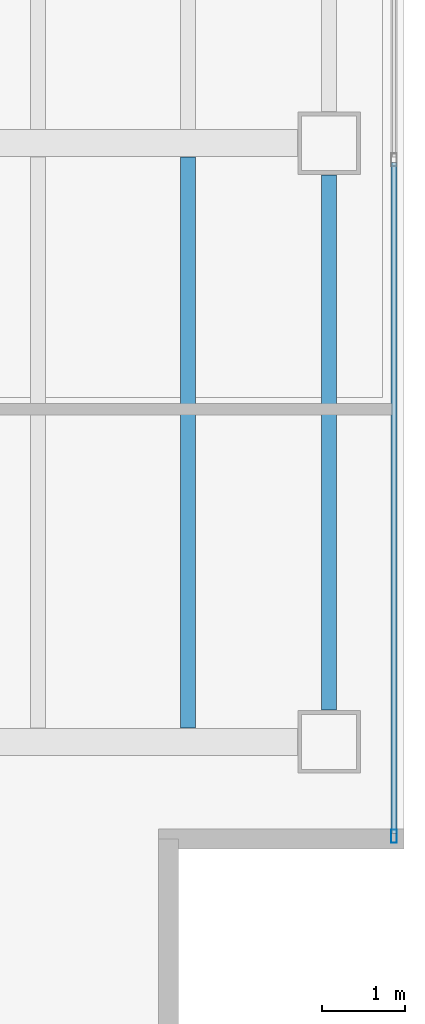
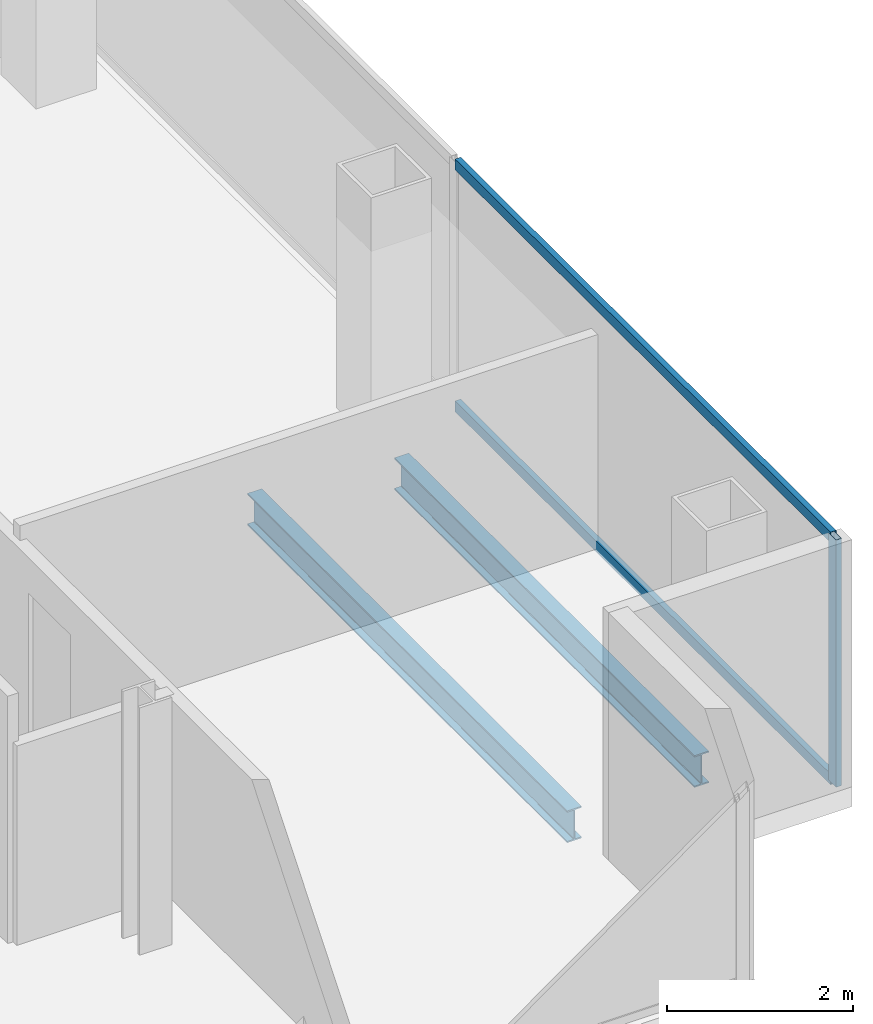
# One storey, part 12 of 23: 3 members, 2 beams, 1 element without a shape of its own.
"""IFC4 building model written with IfcOpenShell, lengths in metres."""

from ifc_helpers import new_model, si_unit, direction, frame, origin, origin_2d, place, context, subcontext, project, spatial, hollow_rectangle, i_section, extrude, material, material_profile, profile_set, type_object, element, aggregate, save


model = new_model("IFC4")

# Units and contexts
model_context = context("Model", 3, precision=1e-05, world=origin(), true_north=direction((0.0, 1.0)))
body_context = subcontext(model_context, "Body", "Model", "MODEL_VIEW")
ifc_project = project(units=[si_unit("LENGTHUNIT", "METRE"), si_unit("AREAUNIT", "SQUARE_METRE"), si_unit("VOLUMEUNIT", "CUBIC_METRE"), si_unit("PLANEANGLEUNIT", "RADIAN"), si_unit("MASSUNIT", "GRAM", prefix="KILO")], contexts=[model_context])

# Site, building, storey
site_placement = place(None, origin())
site = spatial("IfcSite", under=ifc_project, at=site_placement, CompositionType="ELEMENT")
building_placement = place(site_placement, origin())
building = spatial("IfcBuilding", under=site, at=building_placement, Name="Cobrela Telecom Tower", CompositionType="ELEMENT")
storey_placement = place(building_placement, frame((0.0, 0.0, 225.75)))
storey = spatial("IfcBuildingStorey", under=building, at=storey_placement, Name="L58", CompositionType="ELEMENT", Elevation=225.75)

# Beams
ifc_material_1 = material(Name="Steel ASTM A992 Grade 50", Category="steel")
ifc_material_profile_1 = material_profile(ifc_material_1, i_section(OverallWidth=0.179931640625, OverallDepth=0.4169921875, WebThickness=0.010986328125, FlangeThickness=0.01806640625, FilletRadius=0.011962890625, at=origin_2d()), Name="W16X57")
ifc_profile_set_1 = profile_set([ifc_material_profile_1], Name="Steel ASTM A992 Grade 50")
beam_type_1 = type_object("IfcBeamType", Name="BM-JOIST-04", PredefinedType="JOIST", material=ifc_profile_set_1)
beam_1_placement = place(storey_placement, frame((41.39990234375, 7.367431640625, -0.468505859375), z_axis=(0.0, 1.0, 0.0), x_axis=(-1.0, 0.0, 0.0)))
element("IfcBeam", 1, at=beam_1_placement, inside=storey, type_object=beam_type_1, Name="L58 Secondary Composite Floor Beam J29", PredefinedType="JOIST", context=body_context, shape_type="SweptSolid", body=[
    extrude(i_section(OverallWidth=0.179931640625, OverallDepth=0.4169921875, WebThickness=0.010986328125, FlangeThickness=0.01806640625, FilletRadius=0.011962890625, at=origin_2d()), origin(), (0.0, 0.0, 1.0), 6.864990234375),
])
ifc_material_profile_2 = material_profile(ifc_material_1, i_section(OverallWidth=0.179931640625, OverallDepth=0.4169921875, WebThickness=0.010986328125, FlangeThickness=0.01806640625, FilletRadius=0.011962890625, at=origin_2d()), Name="W16X57")
ifc_profile_set_2 = profile_set([ifc_material_profile_2], Name="Steel ASTM A992 Grade 50")
beam_type_2 = type_object("IfcBeamType", Name="BM-SPAND-06", PredefinedType="SPANDREL", material=ifc_profile_set_2)
beam_2_placement = place(storey_placement, frame((43.10009765625, 7.580078125, -0.468505859375), z_axis=(0.0, 1.0, 0.0), x_axis=(-1.0, 0.0, 0.0)))
element("IfcBeam", 2, at=beam_2_placement, inside=storey, type_object=beam_type_2, Name="L58 Perimeter Spandrel Y42", PredefinedType="SPANDREL", context=body_context, shape_type="SweptSolid", body=[
    extrude(i_section(OverallWidth=0.179931640625, OverallDepth=0.4169921875, WebThickness=0.010986328125, FlangeThickness=0.01806640625, FilletRadius=0.011962890625, at=origin_2d()), origin(), (0.0, 0.0, 1.0), 6.43994140625),
])

# Curtain wall, members
ifc_material_2 = material(Name="Anodized Bronze Aluminium 6063-T6", Category="aluminium")
curtain_wall_type = type_object("IfcCurtainWallType", Name="CW-SYS-OFF-LO", PredefinedType="USERDEFINED", material=ifc_material_2)
curtain_wall_placement = place(storey_placement, origin())
curtain_wall = element("IfcCurtainWall", 3, at=curtain_wall_placement, inside=storey, type_object=curtain_wall_type, Name="L58 Unitised Bronze Curtain Wall 14", ObjectType="UNITISED CURTAIN WALL", PredefinedType="USERDEFINED")
ifc_material_profile_3 = material_profile(ifc_material_2, hollow_rectangle(XDim=0.070068359375, YDim=0.159912109375, WallThickness=0.00390625, at=origin_2d()), Name="ALU 70x160x4")
ifc_profile_set_3 = profile_set([ifc_material_profile_3], Name="Anodized Bronze Aluminium 6063-T6")
member_type_1 = type_object("IfcMemberType", Name="CW-SYS-OFF-LO-MUL", PredefinedType="MULLION", material=ifc_profile_set_3)
member_1_placement = place(storey_placement, frame((43.8798828125, 6.06494140625, 0.0), z_axis=(0.0, 0.0, 1.0), x_axis=(1.0, 0.0, 0.0)))
member_1 = element("IfcMember", 4, at=member_1_placement, type_object=member_type_1, Name="CW-OFF-LO mullion 3", PredefinedType="MULLION", context=body_context, shape_type="SweptSolid", body=[
    extrude(hollow_rectangle(XDim=0.070068359375, YDim=0.159912109375, WallThickness=0.00390625, at=origin_2d()), origin(), (0.0, 0.0, 1.0), 3.239990234375),
])
ifc_material_profile_4 = material_profile(ifc_material_2, hollow_rectangle(XDim=0.070068359375, YDim=0.139892578125, WallThickness=0.00390625, at=origin_2d()), Name="ALU 70x140x4")
ifc_profile_set_4 = profile_set([ifc_material_profile_4], Name="Anodized Bronze Aluminium 6063-T6")
member_type_2 = type_object("IfcMemberType", Name="CW-SYS-OFF-LO-TRN", PredefinedType="USERDEFINED", material=ifc_profile_set_4)
member_2_placement = place(storey_placement, frame((43.8798828125, 14.1650390625, 0.034912109375), z_axis=(0.0, -1.0, 0.0), x_axis=(1.0, 0.0, 0.0)))
member_2 = element("IfcMember", 5, at=member_2_placement, type_object=member_type_2, Name="CW-OFF-LO transom 2.1", ObjectType="TRANSOM", PredefinedType="USERDEFINED", context=body_context, shape_type="SweptSolid", body=[
    extrude(hollow_rectangle(XDim=0.070068359375, YDim=0.139892578125, WallThickness=0.00390625, at=origin_2d()), origin(), (0.0, 0.0, 1.0), 8.06494140625),
])
member_3_placement = place(storey_placement, frame((43.8798828125, 14.1650390625, 3.205078125), z_axis=(0.0, -1.0, 0.0), x_axis=(1.0, 0.0, 0.0)))
member_3 = element("IfcMember", 6, at=member_3_placement, type_object=member_type_2, Name="CW-OFF-LO transom 2.2", ObjectType="TRANSOM", PredefinedType="USERDEFINED", context=body_context, shape_type="SweptSolid", body=[
    extrude(hollow_rectangle(XDim=0.070068359375, YDim=0.139892578125, WallThickness=0.00390625, at=origin_2d()), origin(), (0.0, 0.0, 1.0), 8.06494140625),
])
aggregate(curtain_wall, [member_1, member_2, member_3])

save(model, "model.ifc")
